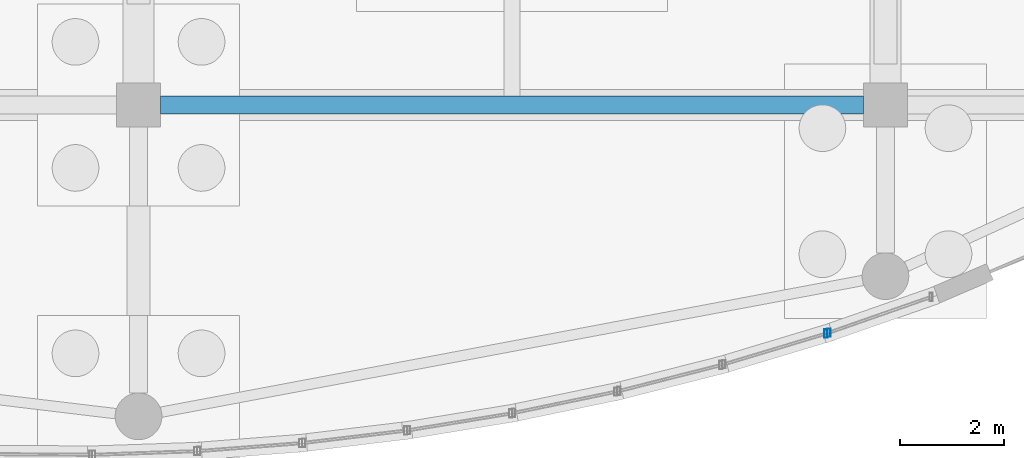
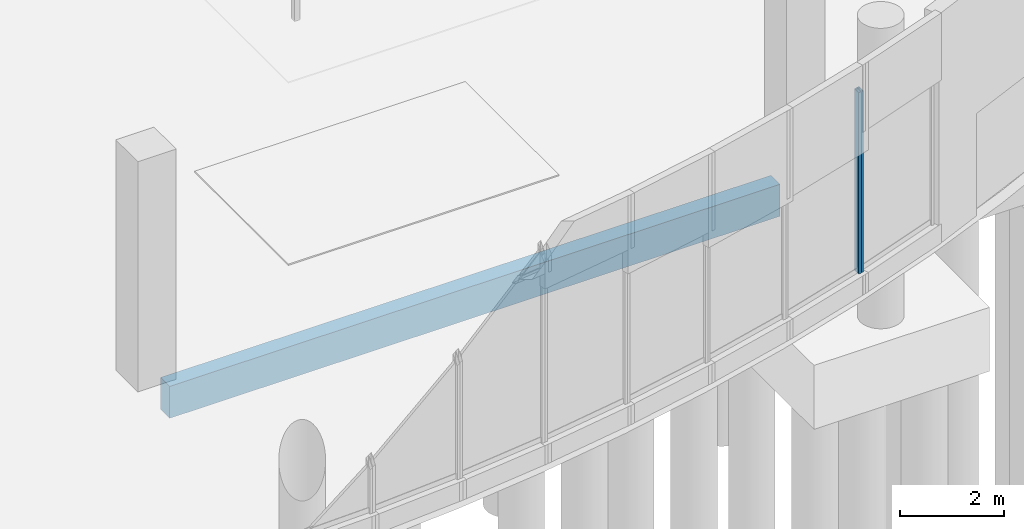
# One storey, part 43 of 192: 2 members, 1 beam, 2 elements without a shape of their own.
"""IFC4 building model written with IfcOpenShell, lengths in metres."""

from ifc_helpers import new_model, si_unit, direction, frame, origin, origin_2d, place, context, subcontext, project, spatial, rectangle, hollow_rectangle, extrude, material, material_profile, profile_set, type_object, element, aggregate, save


model = new_model("IFC4")

# Units and contexts
model_context = context("Model", 3, precision=1e-05, world=origin(), true_north=direction((0.0, 1.0)))
body_context = subcontext(model_context, "Body", "Model", "MODEL_VIEW")
ifc_project = project(units=[si_unit("LENGTHUNIT", "METRE"), si_unit("AREAUNIT", "SQUARE_METRE"), si_unit("VOLUMEUNIT", "CUBIC_METRE"), si_unit("PLANEANGLEUNIT", "RADIAN"), si_unit("MASSUNIT", "GRAM", prefix="KILO")], contexts=[model_context])

# Site, building, storey
site_placement = place(None, origin())
site = spatial("IfcSite", under=ifc_project, at=site_placement, CompositionType="ELEMENT")
building_placement = place(site_placement, origin())
building = spatial("IfcBuilding", under=site, at=building_placement, Name="Cendralis Lancet Convention Centre", CompositionType="ELEMENT")
storey_placement = place(building_placement, origin())
storey = spatial("IfcBuildingStorey", under=building, at=storey_placement, Name="L00", CompositionType="ELEMENT", Elevation=0.0)

# Curtain wall, member
ifc_material_1 = material(Name="Anodised bronze architectural aluminium", Category="aluminium")
curtain_wall_type = type_object("IfcCurtainWallType", Name="ARC-CW-WF01", PredefinedType="USERDEFINED", material=ifc_material_1)
curtain_wall_1_placement = place(storey_placement, origin())
curtain_wall_1 = element("IfcCurtainWall", 1, at=curtain_wall_1_placement, inside=storey, type_object=curtain_wall_type, Name="L00 Curtain Wall CW-WF1 #031", ObjectType="CURTAIN WALL", PredefinedType="USERDEFINED")
ifc_material_profile_1 = material_profile(ifc_material_1, hollow_rectangle(XDim=0.06005859375, YDim=0.159912109375, WallThickness=0.00390625, at=origin_2d()), Name="AL-MULL 60x160x4.0")
ifc_profile_set_1 = profile_set([ifc_material_profile_1], Name="Anodised bronze architectural aluminium")
member_type = type_object("IfcMemberType", Name="ARC-CW-ML01", PredefinedType="MULLION", material=ifc_profile_set_1)
member_1_placement = place(storey_placement, frame((70.854248046875, 2.79150390625, 0.449951171875), z_axis=(0.0, 0.0, 1.0), x_axis=(1.0, 0.0, 0.0)))
member_1 = element("IfcMember", 2, at=member_1_placement, type_object=member_type, Name="Mullion CW2-CW-WF1-L00-031-M1", PredefinedType="MULLION", context=body_context, shape_type="SweptSolid", body=[
    extrude(hollow_rectangle(XDim=0.06005859375, YDim=0.159912109375, WallThickness=0.00390625, at=origin_2d()), origin(), (0.0, 0.0, 1.0), 4.255126953125),
])
aggregate(curtain_wall_1, [member_1])

curtain_wall_2_placement = place(storey_placement, origin())
curtain_wall_2 = element("IfcCurtainWall", 3, at=curtain_wall_2_placement, inside=storey, type_object=curtain_wall_type, Name="L00 Curtain Wall CW-WF1 #032", ObjectType="CURTAIN WALL", PredefinedType="USERDEFINED")
member_2_placement = place(storey_placement, frame((70.911376953125, 2.809814453125, 0.449951171875), z_axis=(0.0, 0.0, 1.0), x_axis=(1.0, 0.0, 0.0)))
member_2 = element("IfcMember", 4, at=member_2_placement, type_object=member_type, Name="Mullion CW2-CW-WF1-L00-032-M0", PredefinedType="MULLION", context=body_context, shape_type="SweptSolid", body=[
    extrude(hollow_rectangle(XDim=0.06005859375, YDim=0.159912109375, WallThickness=0.00390625, at=origin_2d()), origin(), (0.0, 0.0, 1.0), 4.255126953125),
])
aggregate(curtain_wall_2, [member_2])

# Beam
ifc_material_2 = material(Name="Concrete G40 (C40/50)", Category="concrete")
ifc_material_profile_2 = material_profile(ifc_material_2, rectangle(XDim=0.35009765625, YDim=0.75, at=origin_2d()), Name="RCB 350x750")
ifc_profile_set_2 = profile_set([ifc_material_profile_2], Name="Concrete G40 (C40/50)")
beam_type = type_object("IfcBeamType", Name="STR-SP-SP01", PredefinedType="SPANDREL", material=ifc_profile_set_2)
beam_placement = place(storey_placement, frame((58.02490234375, 7.199951171875, -0.695068359375), z_axis=(1.0, 0.0, 0.0), x_axis=(0.0, 1.0, 0.0)))
element("IfcBeam", 5, at=beam_placement, inside=storey, type_object=beam_type, Name="L00 Beam SP01 #0660", PredefinedType="SPANDREL", context=body_context, shape_type="SweptSolid", body=[
    extrude(rectangle(XDim=0.35009765625, YDim=0.75, at=origin_2d()), origin(), (0.0, 0.0, 1.0), 13.550048828125),
])

save(model, "model.ifc")
